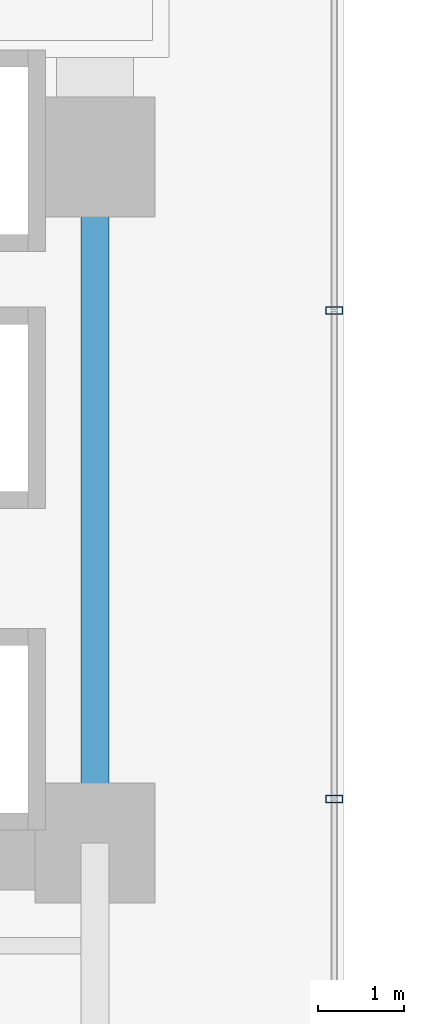
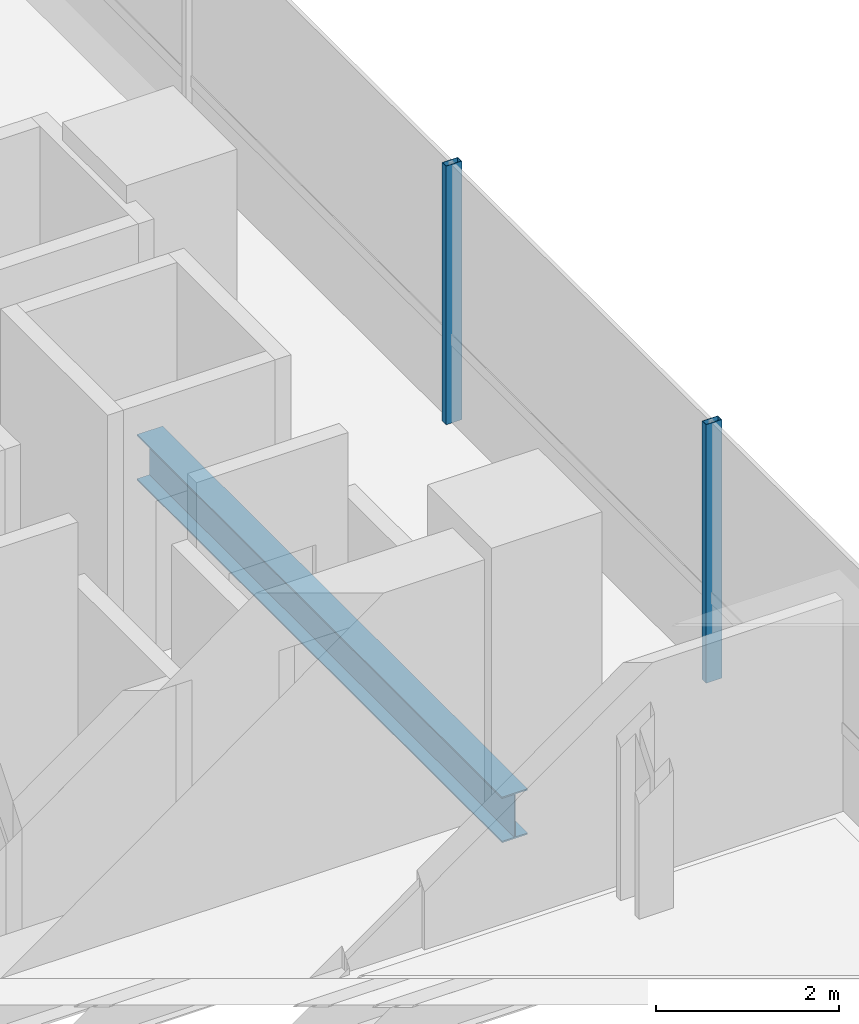
# One storey, part 6 of 40: 2 members, 1 beam, 1 element without a shape of its own.
"""IFC4 building model written with IfcOpenShell, lengths in metres."""

from ifc_helpers import new_model, si_unit, direction, frame, origin, origin_2d, place, context, subcontext, project, spatial, hollow_rectangle, i_section, extrude, source, transform, mapped, material, material_profile, profile_set, type_object, element, aggregate, save


model = new_model("IFC4")

# Units and contexts
model_context = context("Model", 3, precision=1e-05, world=origin(), true_north=direction((0.0, 1.0)))
body_context = subcontext(model_context, "Body", "Model", "MODEL_VIEW")
ifc_project = project(units=[si_unit("LENGTHUNIT", "METRE"), si_unit("AREAUNIT", "SQUARE_METRE"), si_unit("VOLUMEUNIT", "CUBIC_METRE"), si_unit("PLANEANGLEUNIT", "RADIAN"), si_unit("MASSUNIT", "GRAM", prefix="KILO")], contexts=[model_context])

# Site, building, storey
site_placement = place(None, origin())
site = spatial("IfcSite", under=ifc_project, at=site_placement, CompositionType="ELEMENT")
building_placement = place(site_placement, origin())
building = spatial("IfcBuilding", under=site, at=building_placement, Name="Valdorenza Pilgrim Sanctuary Tower", CompositionType="ELEMENT")
storey_placement = place(building_placement, frame((0.0, 0.0, 92.60009765625)))
storey = spatial("IfcBuildingStorey", under=building, at=storey_placement, Name="L23", CompositionType="ELEMENT", Elevation=92.60009765625)

# Beam
ifc_material_1 = material(Name="Steel ASTM A992 Grade 50", Category="steel")
ifc_material_profile_1 = material_profile(ifc_material_1, i_section(OverallWidth=0.323974609375, OverallDepth=0.611083984375, WebThickness=0.0126953125, FlangeThickness=0.01904296875, at=origin_2d()), Name="W24X104")
ifc_profile_set_1 = profile_set([ifc_material_profile_1], Name="Steel ASTM A992 Grade 50")
beam_type = type_object("IfcBeamType", Name="STR-BM-GRD-W24B", PredefinedType="BEAM", material=ifc_profile_set_1)
shared_shape_1 = source(origin(), body_context, "Body", "SweptSolid", [
    extrude(i_section(OverallWidth=0.323974609375, OverallDepth=0.611083984375, WebThickness=0.0126953125, FlangeThickness=0.01904296875, at=origin_2d()), origin(), (0.0, 0.0, 1.0), 8.0),
])
beam_placement = place(storey_placement, frame((-12.39990234375, -10.60009765625, -0.545654296875), z_axis=(0.0, 1.0, 0.0), x_axis=(-1.0, 0.0, 0.0)))
element("IfcBeam", 1, at=beam_placement, inside=storey, type_object=beam_type, Name="L23 Core Tie Girder CA-E-S1M0", PredefinedType="BEAM", context=body_context, shape_type="MappedRepresentation", body=[
    mapped(shared_shape_1, transform((0.0, 0.0, 0.0), x_axis=(1.0, 0.0, 0.0), y_axis=(0.0, 1.0, 0.0), z_axis=(0.0, 0.0, 1.0), scale=1.0)),
])

# Curtain wall, members
ifc_material_2 = material(Name="Curtain-wall IGU glazing", Category="glass")
curtain_wall_type = type_object("IfcCurtainWallType", Name="CW-SYS-02", PredefinedType="NOTDEFINED", material=ifc_material_2)
curtain_wall_placement = place(storey_placement, origin())
curtain_wall = element("IfcCurtainWall", 2, at=curtain_wall_placement, inside=storey, type_object=curtain_wall_type, Name="L23 Curtain Wall CW-L23-1-41", PredefinedType="NOTDEFINED")
ifc_material_3 = material(Name="Anodised aluminium AW-6060", Category="aluminium")
ifc_material_profile_2 = material_profile(ifc_material_3, hollow_rectangle(XDim=0.0849609375, YDim=0.199951171875, WallThickness=0.0048828125, at=origin_2d()), Name="ALU-M 200x85x5")
ifc_profile_set_2 = profile_set([ifc_material_profile_2], Name="Anodised aluminium AW-6060")
member_type = type_object("IfcMemberType", Name="CW-MUL-02", PredefinedType="MULLION", material=ifc_profile_set_2)
shared_shape_2 = source(origin(), body_context, "Body", "SweptSolid", [
    extrude(hollow_rectangle(XDim=0.0849609375, YDim=0.199951171875, WallThickness=0.0048828125, at=origin_2d()), origin(), (0.0, 0.0, 1.0), 3.4599609375),
])
member_1_placement = place(storey_placement, frame((-9.610107421875, -4.38916015625, 0.0), z_axis=(0.0, 0.0, 1.0), x_axis=(0.0, -1.0, 0.0)))
member_1 = element("IfcMember", 3, at=member_1_placement, type_object=member_type, Name="CW-L23-1-41 Mullion 3", PredefinedType="MULLION", context=body_context, shape_type="MappedRepresentation", body=[
    mapped(shared_shape_2, transform((0.0, 0.0, 0.0), x_axis=(1.0, 0.0, 0.0), y_axis=(0.0, 1.0, 0.0), z_axis=(0.0, 0.0, 1.0), scale=1.0)),
])
member_2_placement = place(storey_placement, frame((-9.610107421875, -10.089111328125, 0.0), z_axis=(0.0, 0.0, 1.0), x_axis=(0.0, -1.0, 0.0)))
member_2 = element("IfcMember", 4, at=member_2_placement, type_object=member_type, Name="CW-L23-1-41 Mullion 4", PredefinedType="MULLION", context=body_context, shape_type="MappedRepresentation", body=[
    mapped(shared_shape_2, transform((0.0, 0.0, 0.0), x_axis=(1.0, 0.0, 0.0), y_axis=(0.0, 1.0, 0.0), z_axis=(0.0, 0.0, 1.0), scale=1.0)),
])
aggregate(curtain_wall, [member_1, member_2])

save(model, "model.ifc")
